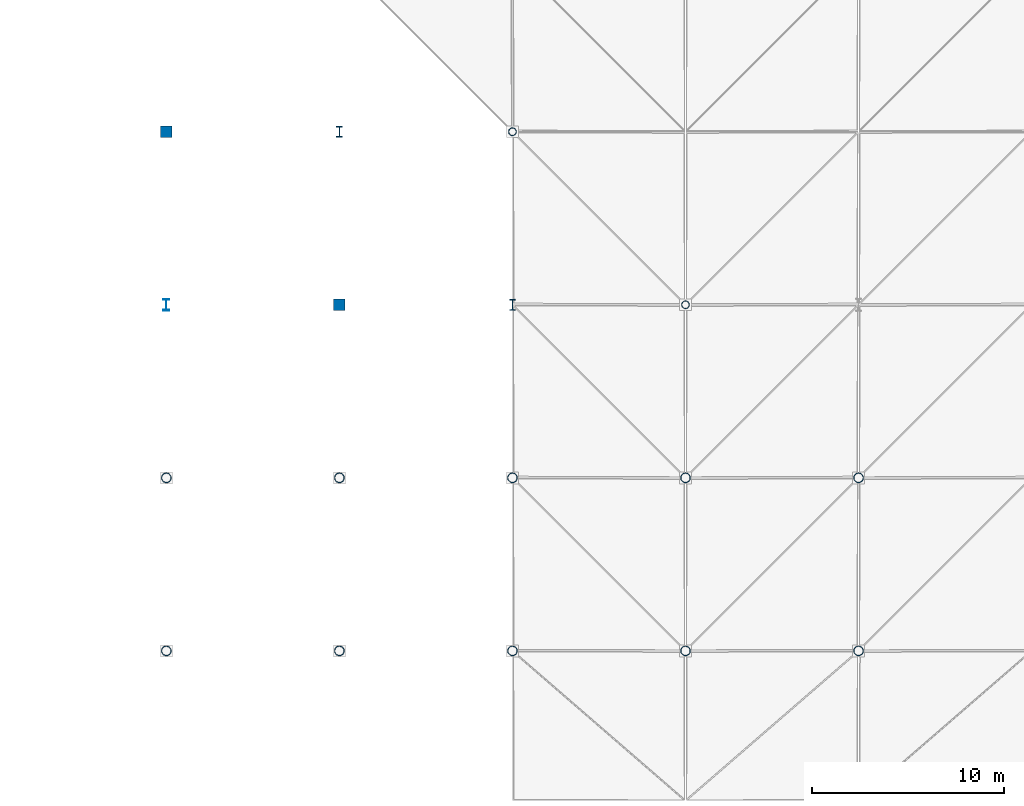
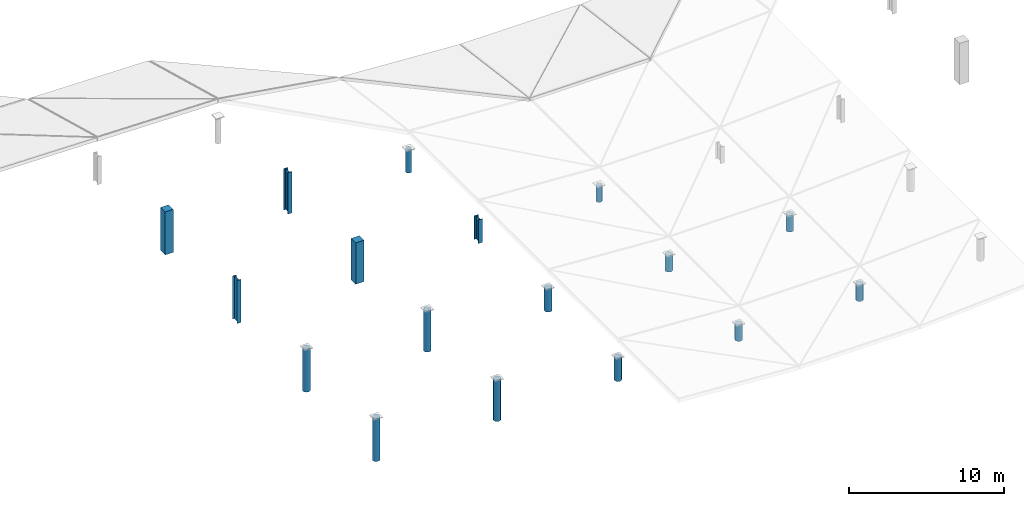
# One storey, part 1 of 58: 17 columns.
"""IFC4 building model written with IfcOpenShell, lengths in metres."""

import ifcopenshell
import ifcopenshell.guid

model = None  # the IFC model being written
_history = None  # IfcOwnerHistory: only IFC2X3 demands one
_inside = {}  # id of a spatial element -> (the spatial element, [elements in it])
_under = {}  # id of a project, library or spatial element -> (it, [spatial elements below it])
_declared = {}  # id of a project -> (the project, [libraries it declares])
_typed = {}  # id of a type object -> (the type object, [elements of that type])
_made_of = {}  # id of a material, layer set ... -> (it, [elements and type objects made of it])


def new_model(schema):
    """Start an empty IFC model of exactly this schema.

    Asked for "IFC4X3", IfcOpenShell would pick the latest addendum, in which some entities
    have other attributes; the version numbers below select the first issue.
    IFC2X3 requires an IfcOwnerHistory on every rooted entity: one is made here for all.
    """
    global model, _history
    if schema == "IFC4X3":
        model = ifcopenshell.file(schema_version=(4, 3, 0, 0))
    else:
        model = ifcopenshell.file(schema=schema)
    _inside.clear()
    _under.clear()
    _declared.clear()
    _typed.clear()
    _made_of.clear()
    _history = None
    if model.schema == "IFC2X3":
        org = make("IfcOrganization", Name="unknown")
        user = make(
            "IfcPersonAndOrganization",
            ThePerson=make("IfcPerson", FamilyName="unknown"),
            TheOrganization=org,
        )
        app = make(
            "IfcApplication",
            ApplicationDeveloper=org,
            Version="unknown",
            ApplicationFullName="unknown",
            ApplicationIdentifier="unknown",
        )
        _history = make(
            "IfcOwnerHistory",
            OwningUser=user,
            OwningApplication=app,
            ChangeAction="ADDED",
            CreationDate=0,
        )
    return model


def make(cls, **values):
    """One entity of the class cls with the attributes given. An attribute that is None is left unset."""
    return model.create_entity(
        cls, **{name: value for name, value in values.items() if value is not None}
    )


def rooted(cls, **values):
    """An entity with a GlobalId (a new one), such as an element, a storey or a relation."""
    return make(cls, GlobalId=ifcopenshell.guid.new(), OwnerHistory=_history, **values)


def si_unit(unit_type, name, prefix=None):
    """IfcSIUnit, for example si_unit("LENGTHUNIT", "METRE", prefix="MILLI")."""
    return make("IfcSIUnit", UnitType=unit_type, Prefix=prefix, Name=name)


def assignment(units):
    """IfcUnitAssignment: the units of a project."""
    return None if units is None else make("IfcUnitAssignment", Units=units)


def point(xyz):
    """IfcCartesianPoint."""
    return None if xyz is None else make("IfcCartesianPoint", Coordinates=xyz)


def direction(xyz):
    """IfcDirection."""
    return None if xyz is None else make("IfcDirection", DirectionRatios=xyz)


def frame(location, z_axis=None, x_axis=None):
    """IfcAxis2Placement3D, a coordinate frame: its origin and axes. An axis left out is left unset."""
    return make(
        "IfcAxis2Placement3D",
        Location=point(location),
        Axis=direction(z_axis),
        RefDirection=direction(x_axis),
    )


def frame_2d(location, x_axis=None):
    """IfcAxis2Placement2D, a coordinate frame in the plane: its origin and x axis."""
    return make(
        "IfcAxis2Placement2D", Location=point(location), RefDirection=direction(x_axis)
    )


def origin():
    """The frame at (0, 0, 0) with its axes left unset."""
    return frame((0.0, 0.0, 0.0))


def origin_2d():
    """The frame at (0, 0) in the plane with its x axis left unset."""
    return frame_2d((0.0, 0.0))


def place(relative_to, where):
    """IfcLocalPlacement: puts the frame where relative to a parent placement (None: the world)."""
    return make(
        "IfcLocalPlacement", PlacementRelTo=relative_to, RelativePlacement=where
    )


def context(
    kind, dimensions, precision=None, world=None, true_north=None, identifier=None
):
    """IfcGeometricRepresentationContext, for example the 3D "Model" context."""
    return make(
        "IfcGeometricRepresentationContext",
        ContextIdentifier=identifier,
        ContextType=kind,
        CoordinateSpaceDimension=dimensions,
        Precision=precision,
        WorldCoordinateSystem=world,
        TrueNorth=true_north,
    )


def subcontext(parent, identifier, kind, view, scale=None):
    """IfcGeometricRepresentationSubContext, for example "Body" below "Model"."""
    return make(
        "IfcGeometricRepresentationSubContext",
        ContextIdentifier=identifier,
        ContextType=kind,
        ParentContext=parent,
        TargetScale=scale,
        TargetView=view,
    )


def project(units=None, contexts=None):
    """IfcProject with its units and contexts."""
    return rooted(
        "IfcProject",
        Name="project",
        RepresentationContexts=contexts,
        UnitsInContext=assignment(units),
    )


def spatial(cls, under=None, at=None, **own):
    """A site, building, storey or space (cls), placed at a placement, below another one or the project."""
    s = rooted(cls, ObjectPlacement=at, **own)
    if under is not None:
        _under.setdefault(under.id(), (under, []))[1].append(s)
    return s


def profile(cls, at=None, kind="AREA", **sizes):
    """A parametric profile (cls). Its sizes go by their IFC names, for example OverallWidth=200.0."""
    return make(cls, ProfileType=kind, Position=at, **sizes)


def rectangle(**sizes):
    """IfcRectangleProfileDef."""
    return profile("IfcRectangleProfileDef", **sizes)


def hollow_circle(**sizes):
    """IfcCircleHollowProfileDef."""
    return profile("IfcCircleHollowProfileDef", **sizes)


def i_section(**sizes):
    """IfcIShapeProfileDef."""
    return profile("IfcIShapeProfileDef", **sizes)


def extrude(swept, where, along, depth):
    """IfcExtrudedAreaSolid: the profile swept, set in the frame where, extruded along a direction by depth."""
    return make(
        "IfcExtrudedAreaSolid",
        SweptArea=swept,
        Position=where,
        ExtrudedDirection=direction(along),
        Depth=depth,
    )


def shape(context_of_items, identifier, shape_type, items):
    """IfcShapeRepresentation: the items that make up one representation, for example the "Body"."""
    return make(
        "IfcShapeRepresentation",
        ContextOfItems=context_of_items,
        RepresentationIdentifier=identifier,
        RepresentationType=shape_type,
        Items=items,
    )


def material(Name=None, Category=None):
    """IfcMaterial."""
    return make("IfcMaterial", Name=Name, Category=Category)


def material_profile(
    of_material, cross_section, Name=None, Category=None, Priority=None
):
    """IfcMaterialProfile: a cross section and its material."""
    return make(
        "IfcMaterialProfile",
        Name=Name,
        Material=of_material,
        Profile=cross_section,
        Priority=Priority,
        Category=Category,
    )


def profile_set(profiles, Name=None, composite=None):
    """IfcMaterialProfileSet."""
    return make(
        "IfcMaterialProfileSet",
        Name=Name,
        MaterialProfiles=profiles,
        CompositeProfile=composite,
    )


def made_of(thing, what):
    """Note that an element or type object is made of a material, layer set ...; save() writes the relation."""
    if what is not None:
        _made_of.setdefault(what.id(), (what, []))[1].append(thing)
    return thing


def type_object(cls, material=None, **own):
    """A type object (cls), such as IfcWallType, which elements share."""
    return made_of(rooted(cls, **own), material)


def element(
    cls,
    number,
    at=None,
    inside=None,
    cuts=None,
    type_object=None,
    material=None,
    context=None,
    identifier="Body",
    shape_type=None,
    held_by="IfcProductDefinitionShape",
    body=None,
    shapes=None,
    **own,
):
    """One element of the class cls, such as IfcWall. Its Tag is "e" and its number.

    at: its placement. inside: the storey or other place that contains it. cuts: it is an
    opening in that element (IfcRelVoidsElement). A single representation is given by context,
    identifier, shape_type and body (its items); several are given by shapes. held_by: the class
    of the entity that holds the representations. save() writes the other relations.
    """
    e = rooted(cls, Tag="e%d" % number, ObjectPlacement=at, **own)
    if body is not None:
        shapes = [shape(context, identifier, shape_type, body)]
    if shapes is not None:
        e.Representation = make(held_by, Representations=shapes)
    if inside is not None:
        _inside.setdefault(inside.id(), (inside, []))[1].append(e)
    if cuts is not None:
        rooted(
            "IfcRelVoidsElement", RelatingBuildingElement=cuts, RelatedOpeningElement=e
        )
    if type_object is not None:
        _typed.setdefault(type_object.id(), (type_object, []))[1].append(e)
    return made_of(e, material)


def aggregate(whole, parts):
    """IfcRelAggregates: a whole, such as a stair, and the parts it consists of."""
    return rooted("IfcRelAggregates", RelatingObject=whole, RelatedObjects=parts)


def save(model, path):
    """Write the relations noted so far, then the file.

    IfcRelAggregates (storeys below a building ...), IfcRelContainedInSpatialStructure (elements
    in a storey), IfcRelDefinesByType, IfcRelAssociatesMaterial and IfcRelDeclares: one each for
    every whole, place, type object, material and project.
    """
    for whole, parts in _under.values():
        aggregate(whole, parts)
    for where, things in _inside.values():
        rooted(
            "IfcRelContainedInSpatialStructure",
            RelatedElements=things,
            RelatingStructure=where,
        )
    for kind, things in _typed.values():
        rooted("IfcRelDefinesByType", RelatedObjects=things, RelatingType=kind)
    for what, things in _made_of.values():
        rooted("IfcRelAssociatesMaterial", RelatedObjects=things, RelatingMaterial=what)
    for by, libraries in _declared.values():
        rooted("IfcRelDeclares", RelatingContext=by, RelatedDefinitions=libraries)
    model.write(path)


model = new_model("IFC4")

# Units and contexts
model_context = context("Model", 3, precision=1e-05, world=origin(), true_north=direction((0.0, 1.0)))
body_context = subcontext(model_context, "Body", "Model", "MODEL_VIEW")
ifc_project = project(units=[si_unit("LENGTHUNIT", "METRE"), si_unit("AREAUNIT", "SQUARE_METRE"), si_unit("VOLUMEUNIT", "CUBIC_METRE"), si_unit("PLANEANGLEUNIT", "RADIAN"), si_unit("MASSUNIT", "GRAM", prefix="KILO")], contexts=[model_context])

# Site, building, storey
site_placement = place(None, origin())
site = spatial("IfcSite", under=ifc_project, at=site_placement, CompositionType="ELEMENT")
building_placement = place(site_placement, origin())
building = spatial("IfcBuilding", under=site, at=building_placement, Name="Barlavento Convention Centre", CompositionType="ELEMENT")
storey_placement = place(building_placement, frame((0.0, 0.0, 26.800048828125)))
storey = spatial("IfcBuildingStorey", under=building, at=storey_placement, Name="L05", CompositionType="ELEMENT", Elevation=26.800048828125)

# Columns
ifc_material_1 = material(Name="Steel S355", Category="steel")
ifc_material_profile_1 = material_profile(ifc_material_1, hollow_circle(Radius=0.203125, WallThickness=0.01611328125, at=origin_2d()), Name="CHS 406.4x16.0")
ifc_profile_set_1 = profile_set([ifc_material_profile_1], Name="Steel S355")
column_type_1 = type_object("IfcColumnType", Name="STR-COL-CHS406", PredefinedType="COLUMN", material=ifc_profile_set_1)
column_1_placement = place(storey_placement, frame((18.0, 27.0, 0.0), z_axis=(0.0, 0.0, 1.0), x_axis=(1.0, 0.0, 0.0)))
element("IfcColumn", 1, at=column_1_placement, inside=storey, type_object=column_type_1, Name="L05 Congress hall column SC14", PredefinedType="COLUMN", context=body_context, shape_type="SweptSolid", body=[
    extrude(hollow_circle(Radius=0.203125, WallThickness=0.01611328125, at=origin_2d()), origin(), (0.0, 0.0, 1.0), 1.84375),
])
column_2_placement = place(storey_placement, frame((27.0, 18.0, 0.0), z_axis=(0.0, 0.0, 1.0), x_axis=(1.0, 0.0, 0.0)))
element("IfcColumn", 2, at=column_2_placement, inside=storey, type_object=column_type_1, Name="L05 Congress hall column SC14", PredefinedType="COLUMN", context=body_context, shape_type="SweptSolid", body=[
    extrude(hollow_circle(Radius=0.203125, WallThickness=0.01611328125, at=origin_2d()), origin(), (0.0, 0.0, 1.0), 1.300048828125),
])
ifc_material_2 = material(Name="Steel S460", Category="steel")
ifc_material_profile_2 = material_profile(ifc_material_2, hollow_circle(Radius=0.25390625, WallThickness=0.02001953125, at=origin_2d()), Name="CHS 508.0x20.0")
ifc_profile_set_2 = profile_set([ifc_material_profile_2], Name="Steel S460")
column_type_2 = type_object("IfcColumnType", Name="STR-COL-CHS508", PredefinedType="COLUMN", material=ifc_profile_set_2)
for number, where, z_axis, x_axis, name in (
    (3, (0.0, 0.0, 0.0), (0.0, 0.0, 1.0), (1.0, 0.0, 0.0), "L05 Congress hall column SC13"),
    (4, (0.0, 9.0, 0.0), (0.0, 0.0, 1.0), (1.0, 0.0, 0.0), "L05 Congress hall column SC13"),
):
    element("IfcColumn", number, at=place(storey_placement, frame(where, z_axis=z_axis, x_axis=x_axis)), inside=storey, type_object=column_type_2, Name=name, PredefinedType="COLUMN", context=body_context, shape_type="SweptSolid", body=[
        extrude(hollow_circle(Radius=0.25390625, WallThickness=0.02001953125, at=origin_2d()), origin(), (0.0, 0.0, 1.0), 3.386962890625),
    ])
for number, where, z_axis, x_axis, name in (
    (5, (9.0, 0.0, 0.0), (0.0, 0.0, 1.0), (1.0, 0.0, 0.0), "L05 Congress hall column SC13"),
    (6, (9.0, 9.0, 0.0), (0.0, 0.0, 1.0), (1.0, 0.0, 0.0), "L05 Congress hall column SC13"),
):
    element("IfcColumn", number, at=place(storey_placement, frame(where, z_axis=z_axis, x_axis=x_axis)), inside=storey, type_object=column_type_2, Name=name, PredefinedType="COLUMN", context=body_context, shape_type="SweptSolid", body=[
        extrude(hollow_circle(Radius=0.25390625, WallThickness=0.02001953125, at=origin_2d()), origin(), (0.0, 0.0, 1.0), 3.25634765625),
    ])
for number, where, z_axis, x_axis, name in (
    (7, (18.0, 0.0, 0.0), (0.0, 0.0, 1.0), (1.0, 0.0, 0.0), "L05 Congress hall column SC13"),
    (8, (18.0, 9.0, 0.0), (0.0, 0.0, 1.0), (1.0, 0.0, 0.0), "L05 Congress hall column SC13"),
):
    element("IfcColumn", number, at=place(storey_placement, frame(where, z_axis=z_axis, x_axis=x_axis)), inside=storey, type_object=column_type_2, Name=name, PredefinedType="COLUMN", context=body_context, shape_type="SweptSolid", body=[
        extrude(hollow_circle(Radius=0.25390625, WallThickness=0.02001953125, at=origin_2d()), origin(), (0.0, 0.0, 1.0), 1.84375),
    ])
for number, where, z_axis, x_axis, name in (
    (9, (27.0, 0.0, 0.0), (0.0, 0.0, 1.0), (1.0, 0.0, 0.0), "L05 Congress hall column SC13"),
    (10, (27.0, 9.0, 0.0), (0.0, 0.0, 1.0), (1.0, 0.0, 0.0), "L05 Congress hall column SC13"),
    (11, (36.0, 0.0, 0.0), (0.0, 0.0, 1.0), (1.0, 0.0, 0.0), "L05 Congress hall column SC13"),
    (12, (36.0, 9.0, 0.0), (0.0, 0.0, 1.0), (1.0, 0.0, 0.0), "L05 Congress hall column SC13"),
):
    element("IfcColumn", number, at=place(storey_placement, frame(where, z_axis=z_axis, x_axis=x_axis)), inside=storey, type_object=column_type_2, Name=name, PredefinedType="COLUMN", context=body_context, shape_type="SweptSolid", body=[
        extrude(hollow_circle(Radius=0.25390625, WallThickness=0.02001953125, at=origin_2d()), origin(), (0.0, 0.0, 1.0), 1.300048828125),
    ])
ifc_material_profile_3 = material_profile(ifc_material_1, i_section(OverallWidth=0.300048828125, OverallDepth=0.60009765625, WebThickness=0.015380859375, FlangeThickness=0.030029296875, FilletRadius=0.027099609375, at=origin_2d()), Name="HEB 600")
ifc_profile_set_3 = profile_set([ifc_material_profile_3], Name="Steel S355")
column_type_3 = type_object("IfcColumnType", Name="STR-COL-HEB600", PredefinedType="COLUMN", material=ifc_profile_set_3)
column_3_placement = place(storey_placement, frame((0.0, 18.0, 0.0), z_axis=(0.0, 0.0, 1.0), x_axis=(1.0, 0.0, 0.0)))
element("IfcColumn", 13, at=column_3_placement, inside=storey, type_object=column_type_3, Name="L05 Congress hall column SC08", PredefinedType="COLUMN", context=body_context, shape_type="SweptSolid", body=[
    extrude(i_section(OverallWidth=0.300048828125, OverallDepth=0.60009765625, WebThickness=0.015380859375, FlangeThickness=0.030029296875, FilletRadius=0.027099609375, at=origin_2d()), origin(), (0.0, 0.0, 1.0), 3.386962890625),
])
ifc_material_profile_4 = material_profile(ifc_material_1, i_section(OverallWidth=0.305908203125, OverallDepth=0.572021484375, WebThickness=0.02099609375, FlangeThickness=0.0400390625, FilletRadius=0.027099609375, at=origin_2d()), Name="HEM 550")
ifc_profile_set_4 = profile_set([ifc_material_profile_4], Name="Steel S355")
column_type_4 = type_object("IfcColumnType", Name="STR-COL-HEM550", PredefinedType="COLUMN", material=ifc_profile_set_4)
column_4_placement = place(storey_placement, frame((9.0, 27.0, 0.0), z_axis=(0.0, 0.0, 1.0), x_axis=(1.0, 0.0, 0.0)))
element("IfcColumn", 14, at=column_4_placement, inside=storey, type_object=column_type_4, Name="L05 Congress hall column SC06", PredefinedType="COLUMN", context=body_context, shape_type="SweptSolid", body=[
    extrude(i_section(OverallWidth=0.305908203125, OverallDepth=0.572021484375, WebThickness=0.02099609375, FlangeThickness=0.0400390625, FilletRadius=0.027099609375, at=origin_2d()), origin(), (0.0, 0.0, 1.0), 3.25634765625),
])
column_5_placement = place(storey_placement, frame((18.0, 18.0, 0.0), z_axis=(0.0, 0.0, 1.0), x_axis=(1.0, 0.0, 0.0)))
element("IfcColumn", 15, at=column_5_placement, inside=storey, type_object=column_type_4, Name="L05 Congress hall column SC06", PredefinedType="COLUMN", context=body_context, shape_type="SweptSolid", body=[
    extrude(i_section(OverallWidth=0.305908203125, OverallDepth=0.572021484375, WebThickness=0.02099609375, FlangeThickness=0.0400390625, FilletRadius=0.027099609375, at=origin_2d()), origin(), (0.0, 0.0, 1.0), 1.84375),
])
ifc_material_3 = material(Name="Concrete C40/50", Category="concrete")
ifc_material_profile_5 = material_profile(ifc_material_3, rectangle(XDim=0.60009765625, YDim=0.60009765625, at=origin_2d()), Name="RC 600x600")
ifc_profile_set_5 = profile_set([ifc_material_profile_5], Name="Concrete C40/50")
column_type_5 = type_object("IfcColumnType", Name="STR-COL-RC600", PredefinedType="COLUMN", material=ifc_profile_set_5)
column_6_placement = place(storey_placement, frame((0.0, 27.0, 0.0), z_axis=(0.0, 0.0, 1.0), x_axis=(1.0, 0.0, 0.0)))
element("IfcColumn", 16, at=column_6_placement, inside=storey, type_object=column_type_5, Name="L05 Congress hall column CC07", PredefinedType="COLUMN", context=body_context, shape_type="SweptSolid", body=[
    extrude(rectangle(XDim=0.60009765625, YDim=0.60009765625, at=origin_2d()), origin(), (0.0, 0.0, 1.0), 3.386962890625),
])
column_7_placement = place(storey_placement, frame((9.0, 18.0, 0.0), z_axis=(0.0, 0.0, 1.0), x_axis=(1.0, 0.0, 0.0)))
element("IfcColumn", 17, at=column_7_placement, inside=storey, type_object=column_type_5, Name="L05 Congress hall column CC07", PredefinedType="COLUMN", context=body_context, shape_type="SweptSolid", body=[
    extrude(rectangle(XDim=0.60009765625, YDim=0.60009765625, at=origin_2d()), origin(), (0.0, 0.0, 1.0), 3.25634765625),
])

save(model, "model.ifc")
